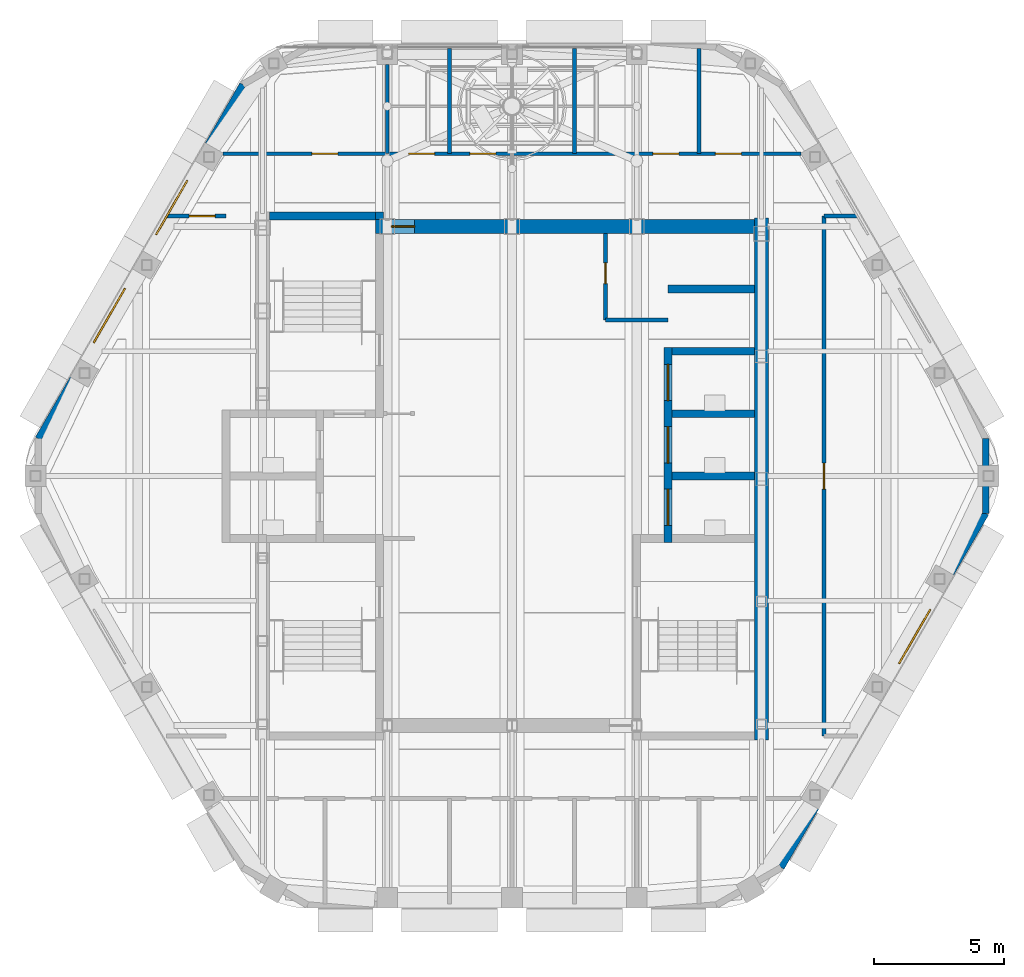
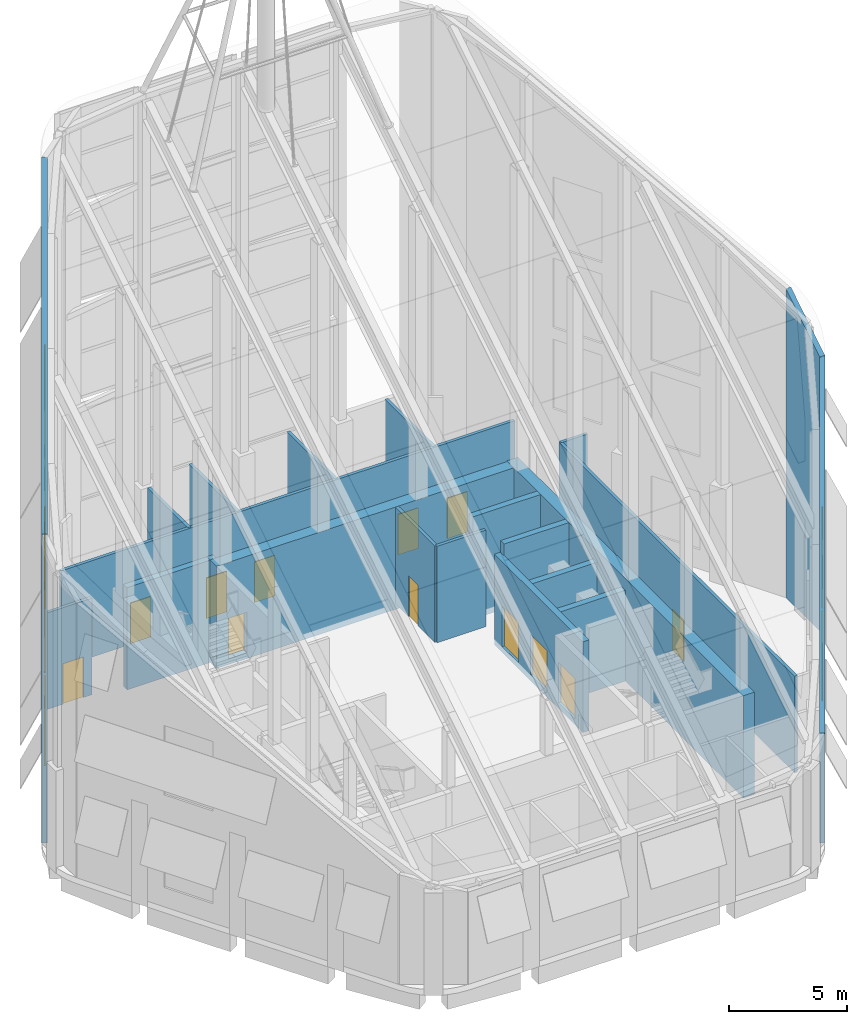
# One storey, part 11 of 25: 22 walls, 12 doors, 8 windows, 20 openings.
"""IFC4 building model written with IfcOpenShell, lengths in metres."""

from ifc_helpers import new_model, si_unit, direction, frame, frame_2d, origin, place, context, subcontext, project, spatial, polyline, rectangle, outline, extrude, material, layer, layer_set, type_object, element, fill, save


model = new_model("IFC4")

# Units and contexts
model_context = context("Model", 3, precision=1e-05, world=origin(), true_north=direction((0.0, 1.0)))
body_context = subcontext(model_context, "Body", "Model", "MODEL_VIEW")
ifc_project = project(units=[si_unit("LENGTHUNIT", "METRE"), si_unit("AREAUNIT", "SQUARE_METRE"), si_unit("VOLUMEUNIT", "CUBIC_METRE"), si_unit("PLANEANGLEUNIT", "RADIAN"), si_unit("MASSUNIT", "GRAM", prefix="KILO")], contexts=[model_context])

# Site, building, storey
site_placement = place(None, origin())
site = spatial("IfcSite", under=ifc_project, at=site_placement, CompositionType="ELEMENT")
building_placement = place(site_placement, origin())
building = spatial("IfcBuilding", under=site, at=building_placement, Name="Kolab Exchange Tower", CompositionType="ELEMENT")
storey_placement = place(building_placement, frame((0.0, 0.0, 301.89990234375)))
storey = spatial("IfcBuildingStorey", under=building, at=storey_placement, Name="L68", CompositionType="ELEMENT", Elevation=301.89990234375)

# Wall, opening, door
ifc_material_1 = material(Name="Concrete C50/60", Category="concrete")
ifc_layer_1 = layer(ifc_material_1, 0.550048828125)
ifc_layer_set_1 = layer_set([ifc_layer_1], Name="Concrete C50/60")
wall_type_1 = type_object("IfcWallType", Name="CORE WALL 550 C50/60", PredefinedType="SHEAR", material=ifc_layer_set_1)
wall_1_placement = place(storey_placement, frame((-5.25, 9.60009765625, -0.2998046875), z_axis=(0.0, 0.0, 1.0), x_axis=(1.0, 0.0, 0.0)))
wall_1 = element("IfcWall", 1, at=wall_1_placement, inside=storey, type_object=wall_type_1, Name="wall/L68/core/016", PredefinedType="SHEAR", context=body_context, shape_type="SweptSolid", body=[
    extrude(rectangle(XDim=14.574951171875, YDim=0.550048828125, at=frame_2d((7.28759765625, 0.0))), origin(), (0.0, 0.0, 1.0), 5.2998046875),
])
opening_1_placement = place(wall_1_placement, frame((0.60009765625, 0.0, 0.300048828125)))
opening_1 = element("IfcOpeningElement", 2, at=opening_1_placement, cuts=wall_1, Name="Opening D6-303", PredefinedType="OPENING", context=body_context, shape_type="SweptSolid", body=[
    extrude(rectangle(XDim=0.89990234375, YDim=2.10009765625, at=frame_2d((0.449951171875, 1.050048828125))), frame((0.0, 0.28515625, 0.0), z_axis=(0.0, -1.0, 0.0), x_axis=(1.0, 0.0, 0.0)), (0.0, 0.0, 1.0), 0.570068359375),
])
ifc_material_2 = material(Name="Steel S235", Category="steel")
door_type_1 = type_object("IfcDoorType", Name="CORE DOOR 900 EI 120", OperationType="SINGLE_SWING_LEFT", PredefinedType="DOOR", material=ifc_material_2)
door_1_placement = place(opening_1_placement, frame((0.89990234375, 0.0, 0.0), z_axis=(0.0, 0.0, 1.0), x_axis=(-1.0, 0.0, 0.0)))
door_1 = element("IfcDoor", 3, at=door_1_placement, inside=storey, type_object=door_type_1, Name="Core lobby door", OperationType="SINGLE_SWING_LEFT", OverallHeight=2.10009765625, OverallWidth=0.89990234375, PredefinedType="DOOR", context=body_context, shape_type="SweptSolid", body=[
    extrude(rectangle(XDim=0.89990234375, YDim=2.10009765625, at=frame_2d((0.449951171875, 1.050048828125))), frame((0.0, 0.02490234375, 0.0), z_axis=(0.0, -1.0, 0.0), x_axis=(1.0, 0.0, 0.0)), (0.0, 0.0, 1.0), 0.050048828125),
])
fill(opening_1, door_1)

# Walls
wall_2_placement = place(storey_placement, frame((9.60009765625, -10.14990234375, -0.2998046875), z_axis=(0.0, 0.0, 1.0), x_axis=(0.0, 1.0, 0.0)))
element("IfcWall", 4, at=wall_2_placement, inside=storey, type_object=wall_type_1, Name="wall/L68/core/031", PredefinedType="SHEAR", context=body_context, shape_type="SweptSolid", body=[
    extrude(rectangle(XDim=20.074951171875, YDim=0.550048828125, at=frame_2d((10.03759765625, 0.0))), origin(), (0.0, 0.0, 1.0), 5.2998046875),
])
ifc_material_3 = material(Name="Aluminium EN AW-6063 T6", Category="aluminium")
ifc_layer_2 = layer(ifc_material_3, 0.25)
ifc_layer_set_2 = layer_set([ifc_layer_2], Name="Aluminium EN AW-6063 T6")
wall_type_2 = type_object("IfcWallType", Name="CROWN CLADDING WALL 250", PredefinedType="SOLIDWALL", material=ifc_layer_set_2)
wall_3_placement = place(storey_placement, frame((18.225830078125, 1.4375, 0.0), z_axis=(0.0, 0.0, 1.0), x_axis=(0.0, -1.0, 0.0)))
element("IfcWall", 5, at=wall_3_placement, inside=storey, type_object=wall_type_2, Name="Crown cladding wall", PredefinedType="SOLIDWALL", context=body_context, shape_type="SweptSolid", body=[
    extrude(outline(polyline([(0.0, 0.0), (2.875, 0.0), (2.875, 14.197265625), (0.0, 15.99365234375), (0.0, 0.0)])), frame((0.0, 0.125, 0.0), z_axis=(0.0, -1.0, 0.0), x_axis=(1.0, 0.0, 0.0)), (0.0, 0.0, 1.0), 0.25),
])

# Wall, openings, windows
wall_4_placement = place(storey_placement, frame((18.225830078125, -1.4375, 0.0), z_axis=(0.0, 0.0, 1.0), x_axis=(-0.500010301671, -0.86601945603, 0.0)))
wall_4 = element("IfcWall", 6, at=wall_4_placement, inside=storey, type_object=wall_type_2, Name="Crown cladding wall", PredefinedType="SOLIDWALL", context=body_context, shape_type="SweptSolid", body=[
    extrude(outline(polyline([(0.0, 0.0), (15.736083984375, 0.0), (15.73583984375, 5.681640625), (0.0, 14.197265625), (0.0, 0.0)])), frame((0.0, 0.125, 0.0), z_axis=(0.0, -1.0, 0.0), x_axis=(1.0, 0.0, 0.0)), (0.0, 0.0, 1.0), 0.25),
])
opening_2_placement = place(wall_4_placement, frame((4.267822265625, 0.0, 5.800048828125)))
opening_2 = element("IfcOpeningElement", 7, at=opening_2_placement, cuts=wall_4, Name="Opening W9-006", PredefinedType="OPENING", context=body_context, shape_type="SweptSolid", body=[
    extrude(rectangle(XDim=2.39990234375, YDim=3.60009765625, at=frame_2d((1.199951171875, 1.800048828125))), frame((0.0, 0.135009765625, 0.0), z_axis=(0.0, -1.0, 0.0), x_axis=(1.0, 0.0, 0.0)), (0.0, 0.0, 1.0), 0.27001953125),
])
opening_3_placement = place(wall_4_placement, frame((4.267822265625, 0.0, 1.0)))
opening_3 = element("IfcOpeningElement", 8, at=opening_3_placement, cuts=wall_4, Name="Opening W10-009", PredefinedType="OPENING", context=body_context, shape_type="SweptSolid", body=[
    extrude(rectangle(XDim=2.39990234375, YDim=3.0, at=frame_2d((1.199951171875, 1.5))), frame((0.0, 0.135009765625, 0.0), z_axis=(0.0, -1.0, 0.0), x_axis=(1.0, 0.0, 0.0)), (0.0, 0.0, 1.0), 0.27001953125),
])
window_type_1 = type_object("IfcWindowType", Name="CROWN WINDOW 2400 X 3000", PartitioningType="SINGLE_PANEL", PredefinedType="WINDOW", material=ifc_material_3)
window_1_placement = place(opening_3_placement, origin())
window_1 = element("IfcWindow", 9, at=window_1_placement, inside=storey, type_object=window_type_1, Name="Crown window", OverallHeight=3.0, OverallWidth=2.39990234375, PartitioningType="SINGLE_PANEL", PredefinedType="WINDOW", context=body_context, shape_type="SweptSolid", body=[
    extrude(rectangle(XDim=2.39990234375, YDim=3.0, at=frame_2d((1.199951171875, 1.5))), frame((0.0, 0.030029296875, 0.0), z_axis=(0.0, -1.0, 0.0), x_axis=(1.0, 0.0, 0.0)), (0.0, 0.0, 1.0), 0.06005859375),
])
fill(opening_3, window_1)
window_type_2 = type_object("IfcWindowType", Name="CROWN WINDOW 2400 X 3600", PartitioningType="SINGLE_PANEL", PredefinedType="WINDOW", material=ifc_material_3)
window_2_placement = place(opening_2_placement, origin())
window_2 = element("IfcWindow", 10, at=window_2_placement, inside=storey, type_object=window_type_2, Name="Crown window", OverallHeight=3.60009765625, OverallWidth=2.39990234375, PartitioningType="SINGLE_PANEL", PredefinedType="WINDOW", context=body_context, shape_type="SweptSolid", body=[
    extrude(rectangle(XDim=2.39990234375, YDim=3.60009765625, at=frame_2d((1.199951171875, 1.800048828125))), frame((0.0, 0.030029296875, 0.0), z_axis=(0.0, -1.0, 0.0), x_axis=(1.0, 0.0, 0.0)), (0.0, 0.0, 1.0), 0.06005859375),
])
fill(opening_2, window_2)

wall_5_placement = place(storey_placement, frame((-18.225830078125, 1.4375, 0.0), z_axis=(0.0, 0.0, 1.0), x_axis=(0.500010301671, 0.86601945603, 0.0)))
wall_5 = element("IfcWall", 11, at=wall_5_placement, inside=storey, type_object=wall_type_2, Name="Crown cladding wall", PredefinedType="SOLIDWALL", context=body_context, shape_type="SweptSolid", body=[
    extrude(outline(polyline([(0.0, 0.0), (15.736083984375, 0.0), (15.73583984375, 24.50927734375), (0.0, 15.99365234375), (0.0, 0.0)])), frame((0.0, 0.125, 0.0), z_axis=(0.0, -1.0, 0.0), x_axis=(1.0, 0.0, 0.0)), (0.0, 0.0, 1.0), 0.25),
])
opening_4_placement = place(wall_5_placement, frame((4.267822265625, 0.0, 5.800048828125)))
opening_4 = element("IfcOpeningElement", 12, at=opening_4_placement, cuts=wall_5, Name="Opening W9-008", PredefinedType="OPENING", context=body_context, shape_type="SweptSolid", body=[
    extrude(rectangle(XDim=2.39990234375, YDim=3.60009765625, at=frame_2d((1.199951171875, 1.800048828125))), frame((0.0, 0.135009765625, 0.0), z_axis=(0.0, -1.0, 0.0), x_axis=(1.0, 0.0, 0.0)), (0.0, 0.0, 1.0), 0.27001953125),
])
opening_5_placement = place(wall_5_placement, frame((4.267822265625, 0.0, 10.0)))
opening_5 = element("IfcOpeningElement", 13, at=opening_5_placement, cuts=wall_5, Name="Opening W9-009", PredefinedType="OPENING", context=body_context, shape_type="SweptSolid", body=[
    extrude(rectangle(XDim=2.39990234375, YDim=3.60009765625, at=frame_2d((1.199951171875, 1.800048828125))), frame((0.0, 0.135009765625, 0.0), z_axis=(0.0, -1.0, 0.0), x_axis=(1.0, 0.0, 0.0)), (0.0, 0.0, 1.0), 0.27001953125),
])
opening_6_placement = place(wall_5_placement, frame((9.06787109375, 0.0, 5.800048828125)))
opening_6 = element("IfcOpeningElement", 14, at=opening_6_placement, cuts=wall_5, Name="Opening W9-010", PredefinedType="OPENING", context=body_context, shape_type="SweptSolid", body=[
    extrude(rectangle(XDim=2.39990234375, YDim=3.60009765625, at=frame_2d((1.199951171875, 1.800048828125))), frame((0.0, 0.135009765625, 0.0), z_axis=(0.0, -1.0, 0.0), x_axis=(1.0, 0.0, 0.0)), (0.0, 0.0, 1.0), 0.27001953125),
])
opening_7_placement = place(wall_5_placement, frame((9.06787109375, 0.0, 10.0)))
opening_7 = element("IfcOpeningElement", 15, at=opening_7_placement, cuts=wall_5, Name="Opening W9-011", PredefinedType="OPENING", context=body_context, shape_type="SweptSolid", body=[
    extrude(rectangle(XDim=2.39990234375, YDim=3.60009765625, at=frame_2d((1.199951171875, 1.800048828125))), frame((0.0, 0.135009765625, 0.0), z_axis=(0.0, -1.0, 0.0), x_axis=(1.0, 0.0, 0.0)), (0.0, 0.0, 1.0), 0.27001953125),
])
opening_8_placement = place(wall_5_placement, frame((9.06787109375, 0.0, 14.199951171875)))
opening_8 = element("IfcOpeningElement", 16, at=opening_8_placement, cuts=wall_5, Name="Opening W9-012", PredefinedType="OPENING", context=body_context, shape_type="SweptSolid", body=[
    extrude(rectangle(XDim=2.39990234375, YDim=3.60009765625, at=frame_2d((1.199951171875, 1.800048828125))), frame((0.0, 0.135009765625, 0.0), z_axis=(0.0, -1.0, 0.0), x_axis=(1.0, 0.0, 0.0)), (0.0, 0.0, 1.0), 0.27001953125),
])
opening_9_placement = place(wall_5_placement, frame((4.267822265625, 0.0, 1.0)))
opening_9 = element("IfcOpeningElement", 17, at=opening_9_placement, cuts=wall_5, Name="Opening W10-011", PredefinedType="OPENING", context=body_context, shape_type="SweptSolid", body=[
    extrude(rectangle(XDim=2.39990234375, YDim=3.0, at=frame_2d((1.199951171875, 1.5))), frame((0.0, 0.135009765625, 0.0), z_axis=(0.0, -1.0, 0.0), x_axis=(1.0, 0.0, 0.0)), (0.0, 0.0, 1.0), 0.27001953125),
])
window_3_placement = place(opening_9_placement, origin())
window_3 = element("IfcWindow", 18, at=window_3_placement, inside=storey, type_object=window_type_1, Name="Crown window", OverallHeight=3.0, OverallWidth=2.39990234375, PartitioningType="SINGLE_PANEL", PredefinedType="WINDOW", context=body_context, shape_type="SweptSolid", body=[
    extrude(rectangle(XDim=2.39990234375, YDim=3.0, at=frame_2d((1.199951171875, 1.5))), frame((0.0, 0.030029296875, 0.0), z_axis=(0.0, -1.0, 0.0), x_axis=(1.0, 0.0, 0.0)), (0.0, 0.0, 1.0), 0.06005859375),
])
fill(opening_9, window_3)
window_4_placement = place(opening_4_placement, origin())
window_4 = element("IfcWindow", 19, at=window_4_placement, inside=storey, type_object=window_type_2, Name="Crown window", OverallHeight=3.60009765625, OverallWidth=2.39990234375, PartitioningType="SINGLE_PANEL", PredefinedType="WINDOW", context=body_context, shape_type="SweptSolid", body=[
    extrude(rectangle(XDim=2.39990234375, YDim=3.60009765625, at=frame_2d((1.199951171875, 1.800048828125))), frame((0.0, 0.030029296875, 0.0), z_axis=(0.0, -1.0, 0.0), x_axis=(1.0, 0.0, 0.0)), (0.0, 0.0, 1.0), 0.06005859375),
])
fill(opening_4, window_4)
window_5_placement = place(opening_5_placement, origin())
window_5 = element("IfcWindow", 20, at=window_5_placement, inside=storey, type_object=window_type_2, Name="Crown window", OverallHeight=3.60009765625, OverallWidth=2.39990234375, PartitioningType="SINGLE_PANEL", PredefinedType="WINDOW", context=body_context, shape_type="SweptSolid", body=[
    extrude(rectangle(XDim=2.39990234375, YDim=3.60009765625, at=frame_2d((1.199951171875, 1.800048828125))), frame((0.0, 0.030029296875, 0.0), z_axis=(0.0, -1.0, 0.0), x_axis=(1.0, 0.0, 0.0)), (0.0, 0.0, 1.0), 0.06005859375),
])
fill(opening_5, window_5)
window_6_placement = place(opening_6_placement, origin())
window_6 = element("IfcWindow", 21, at=window_6_placement, inside=storey, type_object=window_type_2, Name="Crown window", OverallHeight=3.60009765625, OverallWidth=2.39990234375, PartitioningType="SINGLE_PANEL", PredefinedType="WINDOW", context=body_context, shape_type="SweptSolid", body=[
    extrude(rectangle(XDim=2.39990234375, YDim=3.60009765625, at=frame_2d((1.199951171875, 1.800048828125))), frame((0.0, 0.030029296875, 0.0), z_axis=(0.0, -1.0, 0.0), x_axis=(1.0, 0.0, 0.0)), (0.0, 0.0, 1.0), 0.06005859375),
])
fill(opening_6, window_6)
window_7_placement = place(opening_7_placement, origin())
window_7 = element("IfcWindow", 22, at=window_7_placement, inside=storey, type_object=window_type_2, Name="Crown window", OverallHeight=3.60009765625, OverallWidth=2.39990234375, PartitioningType="SINGLE_PANEL", PredefinedType="WINDOW", context=body_context, shape_type="SweptSolid", body=[
    extrude(rectangle(XDim=2.39990234375, YDim=3.60009765625, at=frame_2d((1.199951171875, 1.800048828125))), frame((0.0, 0.030029296875, 0.0), z_axis=(0.0, -1.0, 0.0), x_axis=(1.0, 0.0, 0.0)), (0.0, 0.0, 1.0), 0.06005859375),
])
fill(opening_7, window_7)
window_8_placement = place(opening_8_placement, origin())
window_8 = element("IfcWindow", 23, at=window_8_placement, inside=storey, type_object=window_type_2, Name="Crown window", OverallHeight=3.60009765625, OverallWidth=2.39990234375, PartitioningType="SINGLE_PANEL", PredefinedType="WINDOW", context=body_context, shape_type="SweptSolid", body=[
    extrude(rectangle(XDim=2.39990234375, YDim=3.60009765625, at=frame_2d((1.199951171875, 1.800048828125))), frame((0.0, 0.030029296875, 0.0), z_axis=(0.0, -1.0, 0.0), x_axis=(1.0, 0.0, 0.0)), (0.0, 0.0, 1.0), 0.06005859375),
])
fill(opening_8, window_8)

# Walls
ifc_layer_3 = layer(ifc_material_1, 0.300048828125)
ifc_layer_set_3 = layer_set([ifc_layer_3], Name="Concrete C50/60")
wall_type_3 = type_object("IfcWallType", Name="LIFT SHAFT WALL 300 C50/60", PredefinedType="STANDARD", material=ifc_layer_set_3)
for number, where, z_axis, x_axis, name in (
    (24, (6.14990234375, 0.0, -0.2998046875), (0.0, 0.0, 1.0), (1.0, 0.0, 0.0), "wall/L68/core/009"),
    (25, (6.14990234375, 2.39990234375, -0.2998046875), (0.0, 0.0, 1.0), (1.0, 0.0, 0.0), "wall/L68/core/013"),
):
    element("IfcWall", number, at=place(storey_placement, frame(where, z_axis=z_axis, x_axis=x_axis)), inside=storey, type_object=wall_type_3, Name=name, PredefinedType="STANDARD", context=body_context, shape_type="SweptSolid", body=[
        extrude(rectangle(XDim=3.175048828125, YDim=0.300048828125, at=frame_2d((1.58740234375, 0.0))), origin(), (0.0, 0.0, 1.0), 4.699951171875),
    ])
wall_6_placement = place(storey_placement, frame((6.14990234375, 4.800048828125, -0.2998046875), z_axis=(0.0, 0.0, 1.0), x_axis=(1.0, 0.0, 0.0)))
element("IfcWall", 26, at=wall_6_placement, inside=storey, type_object=wall_type_3, Name="wall/L68/core/014", PredefinedType="STANDARD", context=body_context, shape_type="SweptSolid", body=[
    extrude(rectangle(XDim=3.175048828125, YDim=0.300048828125, at=frame_2d((1.58740234375, 0.0))), origin(), (0.0, 0.0, 1.0), 5.2998046875),
])
wall_7_placement = place(storey_placement, frame((6.0, 7.199951171875, -0.2998046875), z_axis=(0.0, 0.0, 1.0), x_axis=(1.0, 0.0, 0.0)))
element("IfcWall", 27, at=wall_7_placement, inside=storey, type_object=wall_type_3, Name="wall/L68/core/015", PredefinedType="STANDARD", context=body_context, shape_type="SweptSolid", body=[
    extrude(rectangle(XDim=3.324951171875, YDim=0.300048828125, at=frame_2d((1.66259765625, 0.0))), origin(), (0.0, 0.0, 1.0), 5.2998046875),
])

# Wall, openings, doors
wall_8_placement = place(storey_placement, frame((6.0, -2.550048828125, -0.2998046875), z_axis=(0.0, 0.0, 1.0), x_axis=(0.0, 1.0, 0.0)))
wall_8 = element("IfcWall", 28, at=wall_8_placement, inside=storey, type_object=wall_type_3, Name="wall/L68/core/030", PredefinedType="STANDARD", context=body_context, shape_type="SweptSolid", body=[
    extrude(rectangle(XDim=7.5, YDim=0.300048828125, at=frame_2d((3.75, 0.0))), origin(), (0.0, 0.0, 1.0), 4.699951171875),
])
opening_10_placement = place(wall_8_placement, frame((0.64990234375, 0.0, 0.300048828125)))
opening_10 = element("IfcOpeningElement", 29, at=opening_10_placement, cuts=wall_8, Name="Opening LD3-046", PredefinedType="OPENING", context=body_context, shape_type="SweptSolid", body=[
    extrude(rectangle(XDim=1.39990234375, YDim=2.10009765625, at=frame_2d((0.699951171875, 1.050048828125))), frame((0.0, 0.16015625, 0.0), z_axis=(0.0, -1.0, 0.0), x_axis=(1.0, 0.0, 0.0)), (0.0, 0.0, 1.0), 0.320068359375),
])
opening_11_placement = place(wall_8_placement, frame((3.050048828125, 0.0, 0.300048828125)))
opening_11 = element("IfcOpeningElement", 30, at=opening_11_placement, cuts=wall_8, Name="Opening LD3-047", PredefinedType="OPENING", context=body_context, shape_type="SweptSolid", body=[
    extrude(rectangle(XDim=1.39990234375, YDim=2.10009765625, at=frame_2d((0.699951171875, 1.050048828125))), frame((0.0, 0.16015625, 0.0), z_axis=(0.0, -1.0, 0.0), x_axis=(1.0, 0.0, 0.0)), (0.0, 0.0, 1.0), 0.320068359375),
])
opening_12_placement = place(wall_8_placement, frame((5.449951171875, 0.0, 0.300048828125)))
opening_12 = element("IfcOpeningElement", 31, at=opening_12_placement, cuts=wall_8, Name="Opening LD3-048", PredefinedType="OPENING", context=body_context, shape_type="SweptSolid", body=[
    extrude(rectangle(XDim=1.39990234375, YDim=2.10009765625, at=frame_2d((0.699951171875, 1.050048828125))), frame((0.0, 0.16015625, 0.0), z_axis=(0.0, -1.0, 0.0), x_axis=(1.0, 0.0, 0.0)), (0.0, 0.0, 1.0), 0.320068359375),
])
ifc_material_4 = material(Name="Stainless steel 316", Category="steel")
door_type_2 = type_object("IfcDoorType", Name="LANDING DOOR 1400 SERVICE", OperationType="DOUBLE_DOOR_SLIDING", PredefinedType="DOOR", material=ifc_material_4)
door_2_placement = place(opening_10_placement, origin())
door_2 = element("IfcDoor", 32, at=door_2_placement, inside=storey, type_object=door_type_2, Name="Landing door SV1", OperationType="DOUBLE_DOOR_SLIDING", OverallHeight=2.10009765625, OverallWidth=1.39990234375, PredefinedType="DOOR", context=body_context, shape_type="SweptSolid", body=[
    extrude(rectangle(XDim=1.39990234375, YDim=2.10009765625, at=frame_2d((0.699951171875, 1.050048828125))), frame((0.0, 0.02490234375, 0.0), z_axis=(0.0, -1.0, 0.0), x_axis=(1.0, 0.0, 0.0)), (0.0, 0.0, 1.0), 0.050048828125),
])
fill(opening_10, door_2)
door_3_placement = place(opening_11_placement, origin())
door_3 = element("IfcDoor", 33, at=door_3_placement, inside=storey, type_object=door_type_2, Name="Landing door SV2", OperationType="DOUBLE_DOOR_SLIDING", OverallHeight=2.10009765625, OverallWidth=1.39990234375, PredefinedType="DOOR", context=body_context, shape_type="SweptSolid", body=[
    extrude(rectangle(XDim=1.39990234375, YDim=2.10009765625, at=frame_2d((0.699951171875, 1.050048828125))), frame((0.0, 0.02490234375, 0.0), z_axis=(0.0, -1.0, 0.0), x_axis=(1.0, 0.0, 0.0)), (0.0, 0.0, 1.0), 0.050048828125),
])
fill(opening_11, door_3)
door_4_placement = place(opening_12_placement, origin())
door_4 = element("IfcDoor", 34, at=door_4_placement, inside=storey, type_object=door_type_2, Name="Landing door SV3", OperationType="DOUBLE_DOOR_SLIDING", OverallHeight=2.10009765625, OverallWidth=1.39990234375, PredefinedType="DOOR", context=body_context, shape_type="SweptSolid", body=[
    extrude(rectangle(XDim=1.39990234375, YDim=2.10009765625, at=frame_2d((0.699951171875, 1.050048828125))), frame((0.0, 0.02490234375, 0.0), z_axis=(0.0, -1.0, 0.0), x_axis=(1.0, 0.0, 0.0)), (0.0, 0.0, 1.0), 0.050048828125),
])
fill(opening_12, door_4)

# Wall, opening, door
ifc_material_5 = material(Name="Gypsum board", Category="gypsum")
ifc_layer_4 = layer(ifc_material_5, 0.14990234375)
ifc_layer_set_4 = layer_set([ifc_layer_4], Name="Gypsum board")
wall_type_4 = type_object("IfcWallType", Name="PARTITION 150 FIRE-RATED", PredefinedType="PARTITIONING", material=ifc_layer_set_4)
wall_9_placement = place(storey_placement, frame((12.0, -10.0, 0.0), z_axis=(0.0, 0.0, 1.0), x_axis=(0.0, 1.0, 0.0)))
wall_9 = element("IfcWall", 35, at=wall_9_placement, inside=storey, type_object=wall_type_4, Name="Partition 000", PredefinedType="PARTITIONING", context=body_context, shape_type="SweptSolid", body=[
    extrude(rectangle(XDim=20.0, YDim=0.14990234375, at=frame_2d((10.0, 0.0))), origin(), (0.0, 0.0, 1.0), 5.0),
])
opening_13_placement = place(wall_9_placement, frame((9.5, 0.0, 0.0)))
opening_13 = element("IfcOpeningElement", 36, at=opening_13_placement, cuts=wall_9, Name="Opening D1-805", PredefinedType="OPENING", context=body_context, shape_type="SweptSolid", body=[
    extrude(rectangle(XDim=1.0, YDim=2.10009765625, at=frame_2d((0.5, 1.050048828125))), frame((0.0, 0.0849609375, 0.0), z_axis=(0.0, -1.0, 0.0), x_axis=(1.0, 0.0, 0.0)), (0.0, 0.0, 1.0), 0.169921875),
])
door_type_3 = type_object("IfcDoorType", Name="FLUSH DOOR 1000 FD60", OperationType="SINGLE_SWING_LEFT", PredefinedType="DOOR", material=ifc_material_2)
door_5_placement = place(opening_13_placement, frame((1.0, 0.0, 0.0), z_axis=(0.0, 0.0, 1.0), x_axis=(-1.0, 0.0, 0.0)))
door_5 = element("IfcDoor", 37, at=door_5_placement, inside=storey, type_object=door_type_3, Name="Door L68-029", OperationType="SINGLE_SWING_LEFT", OverallHeight=2.10009765625, OverallWidth=1.0, PredefinedType="DOOR", context=body_context, shape_type="SweptSolid", body=[
    extrude(rectangle(XDim=1.0, YDim=2.10009765625, at=frame_2d((0.5, 1.050048828125))), frame((0.0, 0.02490234375, 0.0), z_axis=(0.0, -1.0, 0.0), x_axis=(1.0, 0.0, 0.0)), (0.0, 0.0, 1.0), 0.050048828125),
])
fill(opening_13, door_5)

# Wall
wall_10_placement = place(storey_placement, frame((7.199951171875, 12.39990234375, 0.0), z_axis=(0.0, 0.0, 1.0), x_axis=(0.0, 1.0, 0.0)))
element("IfcWall", 38, at=wall_10_placement, inside=storey, type_object=wall_type_4, Name="Partition 002", PredefinedType="PARTITIONING", context=body_context, shape_type="SweptSolid", body=[
    extrude(rectangle(XDim=4.057861328125, YDim=0.14990234375, at=frame_2d((2.02880859375, 0.0))), origin(), (0.0, 0.0, 1.0), 5.0),
])

# Wall, opening, door
wall_11_placement = place(storey_placement, frame((3.60009765625, 6.0, 0.0), z_axis=(0.0, 0.0, 1.0), x_axis=(0.0, 1.0, 0.0)))
wall_11 = element("IfcWall", 39, at=wall_11_placement, inside=storey, type_object=wall_type_4, Name="Partition 004", PredefinedType="PARTITIONING", context=body_context, shape_type="SweptSolid", body=[
    extrude(rectangle(XDim=3.324951171875, YDim=0.14990234375, at=frame_2d((1.66259765625, 0.0))), origin(), (0.0, 0.0, 1.0), 5.0),
])
opening_14_placement = place(wall_11_placement, frame((1.39990234375, 0.0, 0.0)))
opening_14 = element("IfcOpeningElement", 40, at=opening_14_placement, cuts=wall_11, Name="Opening D7-046", PredefinedType="OPENING", context=body_context, shape_type="SweptSolid", body=[
    extrude(rectangle(XDim=0.800048828125, YDim=2.10009765625, at=frame_2d((0.39990234375, 1.050048828125))), frame((0.0, 0.0849609375, 0.0), z_axis=(0.0, -1.0, 0.0), x_axis=(1.0, 0.0, 0.0)), (0.0, 0.0, 1.0), 0.169921875),
])
door_type_4 = type_object("IfcDoorType", Name="FLUSH DOOR 800 FD60", OperationType="SINGLE_SWING_LEFT", PredefinedType="DOOR", material=ifc_material_2)
door_6_placement = place(opening_14_placement, frame((0.800048828125, 0.0, 0.0), z_axis=(0.0, 0.0, 1.0), x_axis=(-1.0, 0.0, 0.0)))
door_6 = element("IfcDoor", 41, at=door_6_placement, inside=storey, type_object=door_type_4, Name="Door L68-011", OperationType="SINGLE_SWING_LEFT", OverallHeight=2.10009765625, OverallWidth=0.800048828125, PredefinedType="DOOR", context=body_context, shape_type="SweptSolid", body=[
    extrude(rectangle(XDim=0.800048828125, YDim=2.10009765625, at=frame_2d((0.39990234375, 1.050048828125))), frame((0.0, 0.02490234375, 0.0), z_axis=(0.0, -1.0, 0.0), x_axis=(1.0, 0.0, 0.0)), (0.0, 0.0, 1.0), 0.050048828125),
])
fill(opening_14, door_6)

# Walls
for number, where, z_axis, x_axis, name in (
    (42, (2.39990234375, 12.39990234375, 0.0), (0.0, 0.0, 1.0), (0.0, 1.0, 0.0), "Partition 006"),
    (43, (-2.39990234375, 12.39990234375, 0.0), (0.0, 0.0, 1.0), (0.0, 1.0, 0.0), "Partition 009"),
):
    element("IfcWall", number, at=place(storey_placement, frame(where, z_axis=z_axis, x_axis=x_axis)), inside=storey, type_object=wall_type_4, Name=name, PredefinedType="PARTITIONING", context=body_context, shape_type="SweptSolid", body=[
        extrude(rectangle(XDim=4.057861328125, YDim=0.14990234375, at=frame_2d((2.02880859375, 0.0))), origin(), (0.0, 0.0, 1.0), 5.0),
    ])
wall_12_placement = place(storey_placement, frame((-4.800048828125, 12.39990234375, 0.0), z_axis=(0.0, 0.0, 1.0), x_axis=(0.0, 1.0, 0.0)))
element("IfcWall", 44, at=wall_12_placement, inside=storey, type_object=wall_type_4, Name="Partition 010", PredefinedType="PARTITIONING", context=body_context, shape_type="SweptSolid", body=[
    extrude(rectangle(XDim=3.427734375, YDim=0.14990234375, at=frame_2d((1.7138671875, 0.0))), origin(), (0.0, 0.0, 1.0), 5.0),
])
wall_13_placement = place(storey_placement, frame((3.60009765625, 6.0, 0.0), z_axis=(0.0, 0.0, 1.0), x_axis=(1.0, 0.0, 0.0)))
element("IfcWall", 45, at=wall_13_placement, inside=storey, type_object=wall_type_4, Name="Partition 015", PredefinedType="PARTITIONING", context=body_context, shape_type="SweptSolid", body=[
    extrude(rectangle(XDim=2.39990234375, YDim=0.14990234375, at=frame_2d((1.199951171875, 0.0))), origin(), (0.0, 0.0, 1.0), 5.0),
])

# Wall, opening, door
wall_14_placement = place(storey_placement, frame((-13.287841796875, 10.0, 0.0), z_axis=(0.0, 0.0, 1.0), x_axis=(1.0, 0.0, 0.0)))
wall_14 = element("IfcWall", 46, at=wall_14_placement, inside=storey, type_object=wall_type_4, Name="Partition 016", PredefinedType="PARTITIONING", context=body_context, shape_type="SweptSolid", body=[
    extrude(rectangle(XDim=2.287841796875, YDim=0.14990234375, at=frame_2d((1.14404296875, 0.0))), origin(), (0.0, 0.0, 1.0), 5.0),
])
opening_15_placement = place(wall_14_placement, frame((0.864013671875, 0.0, 0.0)))
opening_15 = element("IfcOpeningElement", 47, at=opening_15_placement, cuts=wall_14, Name="Opening D1-806", PredefinedType="OPENING", context=body_context, shape_type="SweptSolid", body=[
    extrude(rectangle(XDim=1.0, YDim=2.10009765625, at=frame_2d((0.5, 1.050048828125))), frame((0.0, 0.0849609375, 0.0), z_axis=(0.0, -1.0, 0.0), x_axis=(1.0, 0.0, 0.0)), (0.0, 0.0, 1.0), 0.169921875),
])
door_7_placement = place(opening_15_placement, frame((1.0, 0.0, 0.0), z_axis=(0.0, 0.0, 1.0), x_axis=(-1.0, 0.0, 0.0)))
door_7 = element("IfcDoor", 48, at=door_7_placement, inside=storey, type_object=door_type_3, Name="Door L68-030", OperationType="SINGLE_SWING_RIGHT", OverallHeight=2.10009765625, OverallWidth=1.0, PredefinedType="DOOR", context=body_context, shape_type="SweptSolid", body=[
    extrude(rectangle(XDim=1.0, YDim=2.10009765625, at=frame_2d((0.5, 1.050048828125))), frame((0.0, 0.02490234375, 0.0), z_axis=(0.0, -1.0, 0.0), x_axis=(1.0, 0.0, 0.0)), (0.0, 0.0, 1.0), 0.050048828125),
])
fill(opening_15, door_7)

# Wall
wall_15_placement = place(storey_placement, frame((12.0, 10.0, 0.0), z_axis=(0.0, 0.0, 1.0), x_axis=(1.0, 0.0, 0.0)))
element("IfcWall", 49, at=wall_15_placement, inside=storey, type_object=wall_type_4, Name="Partition 017", PredefinedType="PARTITIONING", context=body_context, shape_type="SweptSolid", body=[
    extrude(rectangle(XDim=1.287841796875, YDim=0.14990234375, at=frame_2d((0.64404296875, 0.0))), origin(), (0.0, 0.0, 1.0), 5.0),
])

# Wall, openings, doors
wall_16_placement = place(storey_placement, frame((-11.1171875, 12.39990234375, 0.0), z_axis=(0.0, 0.0, 1.0), x_axis=(1.0, 0.0, 0.0)))
wall_16 = element("IfcWall", 50, at=wall_16_placement, inside=storey, type_object=wall_type_4, Name="Partition 018", PredefinedType="PARTITIONING", context=body_context, shape_type="SweptSolid", body=[
    extrude(rectangle(XDim=22.234375, YDim=0.14990234375, at=frame_2d((11.1171875, 0.0))), origin(), (0.0, 0.0, 1.0), 5.0),
])
opening_16_placement = place(wall_16_placement, frame((3.4169921875, 0.0, 0.0)))
opening_16 = element("IfcOpeningElement", 51, at=opening_16_placement, cuts=wall_16, Name="Opening D1-793", PredefinedType="OPENING", context=body_context, shape_type="SweptSolid", body=[
    extrude(rectangle(XDim=1.0, YDim=2.10009765625, at=frame_2d((0.5, 1.050048828125))), frame((0.0, 0.0849609375, 0.0), z_axis=(0.0, -1.0, 0.0), x_axis=(1.0, 0.0, 0.0)), (0.0, 0.0, 1.0), 0.169921875),
])
opening_17_placement = place(wall_16_placement, frame((7.14208984375, 0.0, 0.0)))
opening_17 = element("IfcOpeningElement", 52, at=opening_17_placement, cuts=wall_16, Name="Opening D1-794", PredefinedType="OPENING", context=body_context, shape_type="SweptSolid", body=[
    extrude(rectangle(XDim=1.0, YDim=2.10009765625, at=frame_2d((0.5, 1.050048828125))), frame((0.0, 0.0849609375, 0.0), z_axis=(0.0, -1.0, 0.0), x_axis=(1.0, 0.0, 0.0)), (0.0, 0.0, 1.0), 0.169921875),
])
opening_18_placement = place(wall_16_placement, frame((9.4970703125, 0.0, 0.0)))
opening_18 = element("IfcOpeningElement", 53, at=opening_18_placement, cuts=wall_16, Name="Opening D1-795", PredefinedType="OPENING", context=body_context, shape_type="SweptSolid", body=[
    extrude(rectangle(XDim=1.0, YDim=2.10009765625, at=frame_2d((0.5, 1.050048828125))), frame((0.0, 0.0849609375, 0.0), z_axis=(0.0, -1.0, 0.0), x_axis=(1.0, 0.0, 0.0)), (0.0, 0.0, 1.0), 0.169921875),
])
opening_19_placement = place(wall_16_placement, frame((16.537109375, 0.0, 0.0)))
opening_19 = element("IfcOpeningElement", 54, at=opening_19_placement, cuts=wall_16, Name="Opening D1-796", PredefinedType="OPENING", context=body_context, shape_type="SweptSolid", body=[
    extrude(rectangle(XDim=1.0, YDim=2.10009765625, at=frame_2d((0.5, 1.050048828125))), frame((0.0, 0.0849609375, 0.0), z_axis=(0.0, -1.0, 0.0), x_axis=(1.0, 0.0, 0.0)), (0.0, 0.0, 1.0), 0.169921875),
])
opening_20_placement = place(wall_16_placement, frame((18.942138671875, 0.0, 0.0)))
opening_20 = element("IfcOpeningElement", 55, at=opening_20_placement, cuts=wall_16, Name="Opening D1-797", PredefinedType="OPENING", context=body_context, shape_type="SweptSolid", body=[
    extrude(rectangle(XDim=1.0, YDim=2.10009765625, at=frame_2d((0.5, 1.050048828125))), frame((0.0, 0.0849609375, 0.0), z_axis=(0.0, -1.0, 0.0), x_axis=(1.0, 0.0, 0.0)), (0.0, 0.0, 1.0), 0.169921875),
])
door_8_placement = place(opening_16_placement, origin())
door_8 = element("IfcDoor", 56, at=door_8_placement, inside=storey, type_object=door_type_3, Name="Door L68-016", OperationType="SINGLE_SWING_RIGHT", OverallHeight=2.10009765625, OverallWidth=1.0, PredefinedType="DOOR", context=body_context, shape_type="SweptSolid", body=[
    extrude(rectangle(XDim=1.0, YDim=2.10009765625, at=frame_2d((0.5, 1.050048828125))), frame((0.0, 0.02490234375, 0.0), z_axis=(0.0, -1.0, 0.0), x_axis=(1.0, 0.0, 0.0)), (0.0, 0.0, 1.0), 0.050048828125),
])
fill(opening_16, door_8)
door_9_placement = place(opening_17_placement, origin())
door_9 = element("IfcDoor", 57, at=door_9_placement, inside=storey, type_object=door_type_3, Name="Door L68-017", OperationType="SINGLE_SWING_RIGHT", OverallHeight=2.10009765625, OverallWidth=1.0, PredefinedType="DOOR", context=body_context, shape_type="SweptSolid", body=[
    extrude(rectangle(XDim=1.0, YDim=2.10009765625, at=frame_2d((0.5, 1.050048828125))), frame((0.0, 0.02490234375, 0.0), z_axis=(0.0, -1.0, 0.0), x_axis=(1.0, 0.0, 0.0)), (0.0, 0.0, 1.0), 0.050048828125),
])
fill(opening_17, door_9)
door_10_placement = place(opening_18_placement, origin())
door_10 = element("IfcDoor", 58, at=door_10_placement, inside=storey, type_object=door_type_3, Name="Door L68-018", OperationType="SINGLE_SWING_LEFT", OverallHeight=2.10009765625, OverallWidth=1.0, PredefinedType="DOOR", context=body_context, shape_type="SweptSolid", body=[
    extrude(rectangle(XDim=1.0, YDim=2.10009765625, at=frame_2d((0.5, 1.050048828125))), frame((0.0, 0.02490234375, 0.0), z_axis=(0.0, -1.0, 0.0), x_axis=(1.0, 0.0, 0.0)), (0.0, 0.0, 1.0), 0.050048828125),
])
fill(opening_18, door_10)
door_11_placement = place(opening_19_placement, origin())
door_11 = element("IfcDoor", 59, at=door_11_placement, inside=storey, type_object=door_type_3, Name="Door L68-019", OperationType="SINGLE_SWING_RIGHT", OverallHeight=2.10009765625, OverallWidth=1.0, PredefinedType="DOOR", context=body_context, shape_type="SweptSolid", body=[
    extrude(rectangle(XDim=1.0, YDim=2.10009765625, at=frame_2d((0.5, 1.050048828125))), frame((0.0, 0.02490234375, 0.0), z_axis=(0.0, -1.0, 0.0), x_axis=(1.0, 0.0, 0.0)), (0.0, 0.0, 1.0), 0.050048828125),
])
fill(opening_19, door_11)
door_12_placement = place(opening_20_placement, origin())
door_12 = element("IfcDoor", 60, at=door_12_placement, inside=storey, type_object=door_type_3, Name="Door L68-020", OperationType="SINGLE_SWING_LEFT", OverallHeight=2.10009765625, OverallWidth=1.0, PredefinedType="DOOR", context=body_context, shape_type="SweptSolid", body=[
    extrude(rectangle(XDim=1.0, YDim=2.10009765625, at=frame_2d((0.5, 1.050048828125))), frame((0.0, 0.02490234375, 0.0), z_axis=(0.0, -1.0, 0.0), x_axis=(1.0, 0.0, 0.0)), (0.0, 0.0, 1.0), 0.050048828125),
])
fill(opening_20, door_12)

# Walls
ifc_layer_5 = layer(ifc_material_1, 0.300048828125)
ifc_layer_set_5 = layer_set([ifc_layer_5], Name="Concrete C50/60")
wall_type_5 = type_object("IfcWallType", Name="STAIR ENCLOSURE WALL 300 C50/60", PredefinedType="STANDARD", material=ifc_layer_set_5)
wall_17_placement = place(storey_placement, frame((-9.324951171875, 10.0, -0.2998046875), z_axis=(0.0, 0.0, 1.0), x_axis=(1.0, 0.0, 0.0)))
element("IfcWall", 61, at=wall_17_placement, inside=storey, type_object=wall_type_5, Name="wall/L68/core/017", PredefinedType="STANDARD", context=body_context, shape_type="SweptSolid", body=[
    extrude(rectangle(XDim=4.074951171875, YDim=0.300048828125, at=frame_2d((2.03759765625, 0.0))), origin(), (0.0, 0.0, 1.0), 5.2998046875),
])
wall_18_placement = place(storey_placement, frame((-5.10009765625, 9.875, -0.2998046875), z_axis=(0.0, 0.0, 1.0), x_axis=(0.0, 1.0, 0.0)))
element("IfcWall", 62, at=wall_18_placement, inside=storey, type_object=wall_type_5, Name="wall/L68/core/027", PredefinedType="STANDARD", context=body_context, shape_type="SweptSolid", body=[
    extrude(rectangle(XDim=0.27490234375, YDim=0.300048828125, at=frame_2d((0.137451171875, 0.0))), origin(), (0.0, 0.0, 1.0), 5.2998046875),
])

save(model, "model.ifc")
